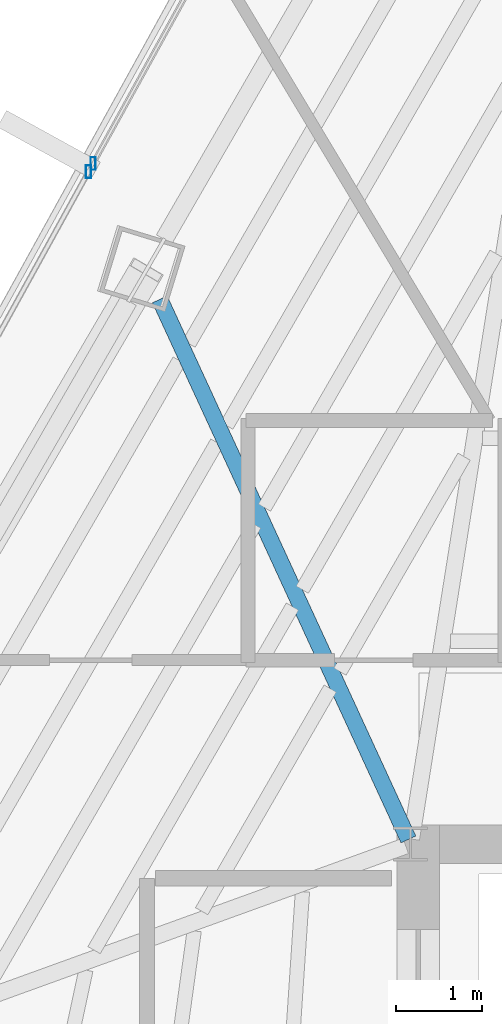
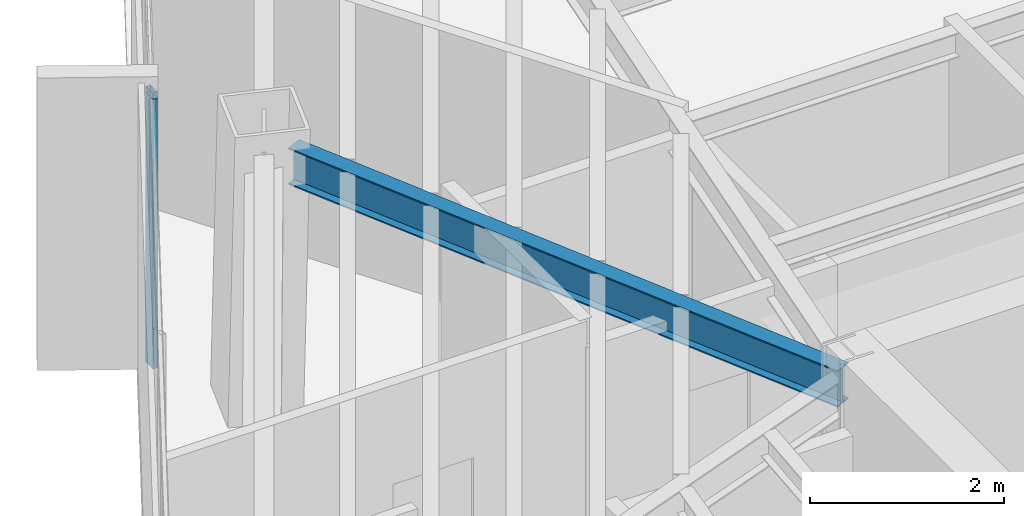
# One storey, part 16 of 41: 2 members, 1 beam, 2 elements without a shape of their own.
"""IFC4 building model written with IfcOpenShell, lengths in metres."""

from ifc_helpers import new_model, si_unit, direction, frame, origin, origin_2d, place, context, subcontext, project, spatial, hollow_rectangle, i_section, extrude, source, transform, mapped, material, material_profile, profile_set, type_object, type_shapes, element, aggregate, save


model = new_model("IFC4")

# Units and contexts
model_context = context("Model", 3, precision=1e-05, world=origin(), true_north=direction((0.0, 1.0)))
body_context = subcontext(model_context, "Body", "Model", "MODEL_VIEW")
ifc_project = project(units=[si_unit("LENGTHUNIT", "METRE"), si_unit("AREAUNIT", "SQUARE_METRE"), si_unit("VOLUMEUNIT", "CUBIC_METRE"), si_unit("PLANEANGLEUNIT", "RADIAN"), si_unit("MASSUNIT", "GRAM", prefix="KILO")], contexts=[model_context])

# Site, building, storey
site_placement = place(None, origin())
site = spatial("IfcSite", under=ifc_project, at=site_placement, CompositionType="ELEMENT")
building_placement = place(site_placement, origin())
building = spatial("IfcBuilding", under=site, at=building_placement, Name="Caelisora Broadcast Tower", CompositionType="ELEMENT")
storey_placement = place(building_placement, frame((0.0, 0.0, 209.60009765625)))
storey = spatial("IfcBuildingStorey", under=building, at=storey_placement, Name="L55", CompositionType="ELEMENT", Elevation=209.60009765625)

# Beam
ifc_material_1 = material(Name="Steel Grade 350 (AS/NZS 3679.1)", Category="steel")
ifc_material_profile_1 = material_profile(ifc_material_1, i_section(OverallWidth=0.19091796875, OverallDepth=0.46044921875, WebThickness=0.010009765625, FlangeThickness=0.01611328125, at=origin_2d()), Name="Steel Grade 350 (AS/NZS 3679.1)")
ifc_profile_set_1 = profile_set([ifc_material_profile_1], Name="Steel Grade 350 (AS/NZS 3679.1)")
beam_type = type_object("IfcBeamType", Name="PG06", PredefinedType="BEAM", material=ifc_profile_set_1)
shared_shape_1 = source(origin(), body_context, "Body", "SweptSolid", [
    extrude(i_section(OverallWidth=0.19091796875, OverallDepth=0.46044921875, WebThickness=0.010009765625, FlangeThickness=0.01611328125, at=origin_2d()), origin(), (0.0, 0.0, 1.0), 6.94775390625),
])
type_shapes(beam_type, [shared_shape_1])
beam_placement = place(storey_placement, frame((30.474853515625, 30.054443359375, 3.169677734375), z_axis=(-0.418153270537, 0.908376487113, 0.0), x_axis=(-0.908376487113, -0.418153270537, 0.0)))
element("IfcBeam", 1, at=beam_placement, inside=storey, type_object=beam_type, Name="L55 beam PG06", PredefinedType="BEAM", context=body_context, shape_type="MappedRepresentation", body=[
    mapped(shared_shape_1, transform((0.0, 0.0, 0.0), scale=1.0)),
])

# Curtain wall, member
ifc_material_2 = material(Name="Unitised Aluminium Insulated Shadow-Box Spandrel Curtain Wall", Category="aluminium")
curtain_wall_type_1 = type_object("IfcCurtainWallType", Name="CW-SP2", PredefinedType="NOTDEFINED", material=ifc_material_2)
curtain_wall_1_placement = place(storey_placement, origin())
curtain_wall_1 = element("IfcCurtainWall", 2, at=curtain_wall_1_placement, inside=storey, type_object=curtain_wall_type_1, Name="L55 curtain wall CW-SP2", PredefinedType="NOTDEFINED")
ifc_material_3 = material(Name="Aluminium 6063-T6 Anodised Terracotta Bronze", Category="aluminium")
ifc_material_profile_2 = material_profile(ifc_material_3, hollow_rectangle(XDim=0.06005859375, YDim=0.14990234375, WallThickness=0.00341796875, at=origin_2d()), Name="Aluminium 6063-T6 Anodised Terracotta Bronze")
ifc_profile_set_2 = profile_set([ifc_material_profile_2], Name="Aluminium 6063-T6 Anodised Terracotta Bronze")
member_type = type_object("IfcMemberType", Name="CWM-03", PredefinedType="MULLION", material=ifc_profile_set_2)
shared_shape_2 = source(origin(), body_context, "Body", "SweptSolid", [
    extrude(hollow_rectangle(XDim=0.06005859375, YDim=0.14990234375, WallThickness=0.00341796875, at=origin_2d()), origin(), (0.0, 0.0, 1.0), 3.39990234375),
])
type_shapes(member_type, [shared_shape_2])
member_1_placement = place(storey_placement, frame((26.73681640625, 37.8564453125, 0.0), z_axis=(0.0, 0.0, 1.0), x_axis=(1.0, 0.0, 0.0)))
member_1 = element("IfcMember", 3, at=member_1_placement, type_object=member_type, Name="L55-CW-B10 mullion #3", PredefinedType="MULLION", context=body_context, shape_type="MappedRepresentation", body=[
    mapped(shared_shape_2, transform((0.0, 0.0, 0.0), scale=1.0)),
])
aggregate(curtain_wall_1, [member_1])

ifc_material_4 = material(Name="Unitised Aluminium and Low-E Glass Curtain Wall", Category="glass")
curtain_wall_type_2 = type_object("IfcCurtainWallType", Name="CW-Z4", PredefinedType="NOTDEFINED", material=ifc_material_4)
curtain_wall_2_placement = place(storey_placement, origin())
curtain_wall_2 = element("IfcCurtainWall", 4, at=curtain_wall_2_placement, inside=storey, type_object=curtain_wall_type_2, Name="L55 curtain wall CW-Z4", PredefinedType="NOTDEFINED")
member_2_placement = place(storey_placement, frame((26.789794921875, 37.95263671875, 0.0), z_axis=(0.0, 0.0, 1.0), x_axis=(1.0, 0.0, 0.0)))
member_2 = element("IfcMember", 5, at=member_2_placement, type_object=member_type, Name="L55-CW-B11 mullion #0", PredefinedType="MULLION", context=body_context, shape_type="MappedRepresentation", body=[
    mapped(shared_shape_2, transform((0.0, 0.0, 0.0), scale=1.0)),
])
aggregate(curtain_wall_2, [member_2])

save(model, "model.ifc")
